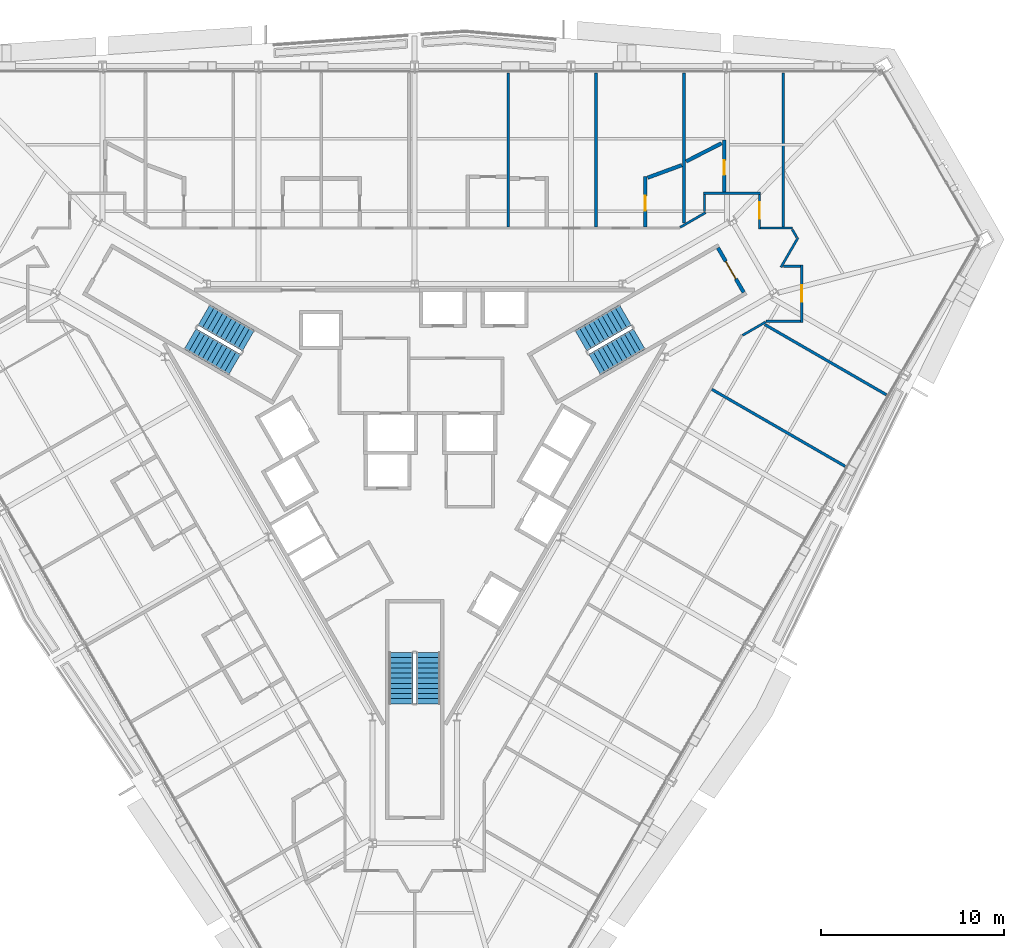
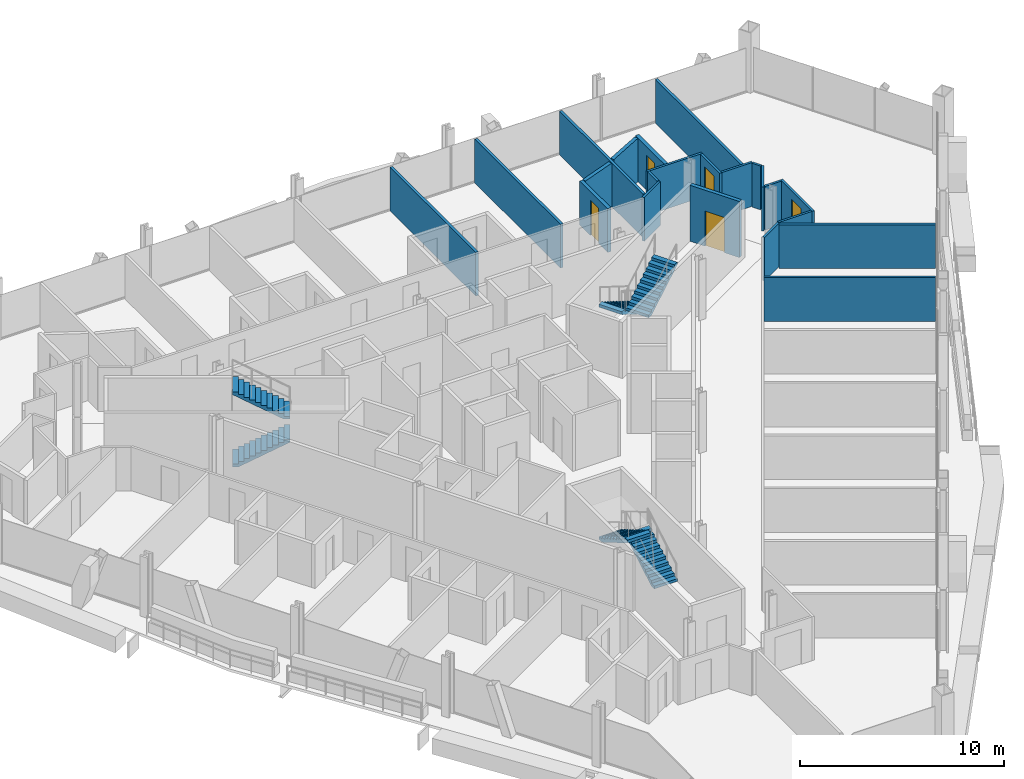
# One storey, part 15 of 17: 22 walls, 6 stair flights, 5 doors, 5 openings, 3 elements without a shape of their own.
"""IFC4 building model written with IfcOpenShell, lengths in metres."""

from ifc_helpers import new_model, si_unit, direction, frame, frame_2d, origin, place, context, subcontext, project, spatial, polyline, rectangle, outline, extrude, material, layer, layer_set, type_object, element, fill, aggregate, save


model = new_model("IFC4")

# Units and contexts
model_context = context("Model", 3, precision=1e-05, world=origin(), true_north=direction((0.0, 1.0)))
body_context = subcontext(model_context, "Body", "Model", "MODEL_VIEW")
ifc_project = project(units=[si_unit("LENGTHUNIT", "METRE"), si_unit("AREAUNIT", "SQUARE_METRE"), si_unit("VOLUMEUNIT", "CUBIC_METRE"), si_unit("PLANEANGLEUNIT", "RADIAN"), si_unit("MASSUNIT", "GRAM", prefix="KILO")], contexts=[model_context])

# Site, building, storey
site_placement = place(None, origin())
site = spatial("IfcSite", under=ifc_project, at=site_placement, CompositionType="ELEMENT")
building_placement = place(site_placement, origin())
building = spatial("IfcBuilding", under=site, at=building_placement, Name="Verrane Prism Tower", CompositionType="ELEMENT")
storey_placement = place(building_placement, frame((0.0, 0.0, 51.199951171875)))
storey = spatial("IfcBuildingStorey", under=building, at=storey_placement, Name="L10", CompositionType="ELEMENT", Elevation=51.199951171875)

# Wall, opening, door
ifc_material_1 = material(Name="Concrete C40/50", Category="concrete")
ifc_layer_1 = layer(ifc_material_1, 0.199951171875)
ifc_layer_set_1 = layer_set([ifc_layer_1], Name="CW-200 stair core wall concrete C40/50 3 h")
wall_type_1 = type_object("IfcWallType", Name="CW-200 stair core wall concrete C40/50 3 h", PredefinedType="PARTITIONING", material=ifc_layer_set_1)
wall_1_placement = place(storey_placement, frame((17.933837890625, 8.737548828125, 0.0), z_axis=(0.0, 0.0, 1.0), x_axis=(-0.49998411664, 0.866034573852, 0.0)))
wall_1 = element("IfcWall", 1, at=wall_1_placement, inside=storey, type_object=wall_type_1, Name="Stair 1 enclosure wall", PredefinedType="PARTITIONING", context=body_context, shape_type="SweptSolid", body=[
    extrude(rectangle(XDim=2.7998046875, YDim=0.199951171875, at=frame_2d((1.39990234375, 0.0))), origin(), (0.0, 0.0, 1.0), 3.35009765625),
])
opening_1_placement = place(wall_1_placement, frame((0.849853515625, 0.0, 0.0)))
opening_1 = element("IfcOpeningElement", 2, at=opening_1_placement, cuts=wall_1, Name="Opening D09500", PredefinedType="OPENING", context=body_context, shape_type="SweptSolid", body=[
    extrude(rectangle(XDim=1.10009765625, YDim=2.10009765625, at=frame_2d((0.550048828125, 1.050048828125))), frame((0.0, 0.10986328125, 0.0), z_axis=(0.0, -1.0, 0.0), x_axis=(1.0, 0.0, 0.0)), (0.0, 0.0, 1.0), 0.219970703125),
])
ifc_material_2 = material(Name="Timber veneered door leaf", Category="wood")
door_type_1 = type_object("IfcDoorType", Name="DR-1100x2100 FD90 single leaf stair", OperationType="NOTDEFINED", PredefinedType="DOOR", material=ifc_material_2)
door_1_placement = place(opening_1_placement, origin())
door_1 = element("IfcDoor", 3, at=door_1_placement, inside=storey, type_object=door_type_1, Name="Stair 1 door", OperationType="SINGLE_SWING_LEFT", OverallHeight=2.10009765625, OverallWidth=1.10009765625, PredefinedType="DOOR", context=body_context, shape_type="SweptSolid", body=[
    extrude(rectangle(XDim=1.10009765625, YDim=2.10009765625, at=frame_2d((0.550048828125, 1.050048828125))), frame((0.0, 0.02490234375, 0.0), z_axis=(0.0, -1.0, 0.0), x_axis=(1.0, 0.0, 0.0)), (0.0, 0.0, 1.0), 0.050048828125),
])
fill(opening_1, door_1)

# Walls
ifc_material_3 = material(Name="Gypsum board partition", Category="other")
ifc_layer_2 = layer(ifc_material_3, 0.125)
ifc_layer_set_2 = layer_set([ifc_layer_2], Name="PW-125 corridor wall 1 h")
wall_type_2 = type_object("IfcWallType", Name="PW-125 corridor wall 1 h", PredefinedType="PARTITIONING", material=ifc_layer_set_2)
wall_2_placement = place(storey_placement, frame((14.4755859375, 12.283447265625, 0.0), z_axis=(0.0, 0.0, 1.0), x_axis=(0.865974057503, 0.500088923824, 0.0)))
element("IfcWall", 4, at=wall_2_placement, inside=storey, type_object=wall_type_2, Name="Corridor wall 071", PredefinedType="PARTITIONING", context=body_context, shape_type="SweptSolid", body=[
    extrude(rectangle(XDim=1.595458984375, YDim=0.125, at=frame_2d((0.7978515625, 0.0))), origin(), (0.0, 0.0, 1.0), 2.613037109375),
])
wall_3_placement = place(storey_placement, frame((15.802978515625, 13.135009765625, 0.0), z_axis=(0.0, 0.0, 1.0), x_axis=(0.0, 1.0, 0.0)))
element("IfcWall", 5, at=wall_3_placement, inside=storey, type_object=wall_type_2, Name="Corridor wall 074", PredefinedType="PARTITIONING", context=body_context, shape_type="SweptSolid", body=[
    extrude(rectangle(XDim=0.93701171875, YDim=0.125, at=frame_2d((0.468505859375, 0.0))), origin(), (0.0, 0.0, 1.0), 2.613037109375),
])
wall_4_placement = place(storey_placement, frame((15.740478515625, 14.136962890625, 0.0), z_axis=(0.0, 0.0, 1.0), x_axis=(1.0, 0.0, 0.0)))
element("IfcWall", 6, at=wall_4_placement, inside=storey, type_object=wall_type_2, Name="Corridor wall 075", PredefinedType="PARTITIONING", context=body_context, shape_type="SweptSolid", body=[
    extrude(rectangle(XDim=3.119140625, YDim=0.125, at=frame_2d((1.5595703125, 0.0))), origin(), (0.0, 0.0, 1.0), 2.613037109375),
])
wall_5_placement = place(storey_placement, frame((17.87548828125, 6.39453125, 0.0), z_axis=(0.0, 0.0, 1.0), x_axis=(0.865894215669, 0.500227155672, 0.0)))
element("IfcWall", 7, at=wall_5_placement, inside=storey, type_object=wall_type_2, Name="Corridor wall 078", PredefinedType="PARTITIONING", context=body_context, shape_type="SweptSolid", body=[
    extrude(rectangle(XDim=1.451416015625, YDim=0.125, at=frame_2d((0.7255859375, 0.0))), origin(), (0.0, 0.0, 1.0), 2.613037109375),
])

# Wall, opening, door
wall_6_placement = place(storey_placement, frame((18.797119140625, 14.072021484375, 0.0), z_axis=(0.0, 0.0, 1.0), x_axis=(0.0, -1.0, 0.0)))
wall_6 = element("IfcWall", 8, at=wall_6_placement, inside=storey, type_object=wall_type_2, Name="Corridor wall 079", PredefinedType="PARTITIONING", context=body_context, shape_type="SweptSolid", body=[
    extrude(rectangle(XDim=1.8935546875, YDim=0.125, at=frame_2d((0.94677734375, 0.0))), origin(), (0.0, 0.0, 1.0), 2.613037109375),
])
opening_2_placement = place(wall_6_placement, frame((0.430908203125, 0.0, 0.0)))
opening_2 = element("IfcOpeningElement", 9, at=opening_2_placement, cuts=wall_6, Name="Opening D09010", PredefinedType="OPENING", context=body_context, shape_type="SweptSolid", body=[
    extrude(rectangle(XDim=0.89990234375, YDim=2.10009765625, at=frame_2d((0.449951171875, 1.050048828125))), frame((0.0, 0.072509765625, 0.0), z_axis=(0.0, -1.0, 0.0), x_axis=(1.0, 0.0, 0.0)), (0.0, 0.0, 1.0), 0.14501953125),
])
ifc_material_4 = material(Name="Timber veneered door leaf", Category="wood")
door_type_2 = type_object("IfcDoorType", Name="DR-900x2100 FD20 single leaf unit", OperationType="NOTDEFINED", PredefinedType="DOOR", material=ifc_material_4)
door_2_placement = place(opening_2_placement, origin())
door_2 = element("IfcDoor", 10, at=door_2_placement, inside=storey, type_object=door_type_2, Name="Guest Room door", OperationType="SINGLE_SWING_LEFT", OverallHeight=2.10009765625, OverallWidth=0.89990234375, PredefinedType="DOOR", context=body_context, shape_type="SweptSolid", body=[
    extrude(rectangle(XDim=0.89990234375, YDim=2.10009765625, at=frame_2d((0.449951171875, 1.050048828125))), frame((0.0, 0.02490234375, 0.0), z_axis=(0.0, -1.0, 0.0), x_axis=(1.0, 0.0, 0.0)), (0.0, 0.0, 1.0), 0.050048828125),
])
fill(opening_2, door_2)

# Walls
wall_7_placement = place(storey_placement, frame((18.862060546875, 12.240966796875, 0.0), z_axis=(0.0, 0.0, 1.0), x_axis=(1.0, 0.0, 0.0)))
element("IfcWall", 11, at=wall_7_placement, inside=storey, type_object=wall_type_2, Name="Corridor wall 080", PredefinedType="PARTITIONING", context=body_context, shape_type="SweptSolid", body=[
    extrude(rectangle(XDim=1.739501953125, YDim=0.125, at=frame_2d((0.86962890625, 0.0))), origin(), (0.0, 0.0, 1.0), 2.613037109375),
])
wall_8_placement = place(storey_placement, frame((19.1435546875, 7.1630859375, 0.0), z_axis=(0.0, 0.0, 1.0), x_axis=(1.0, 0.0, 0.0)))
element("IfcWall", 12, at=wall_8_placement, inside=storey, type_object=wall_type_2, Name="Corridor wall 082", PredefinedType="PARTITIONING", context=body_context, shape_type="SweptSolid", body=[
    extrude(rectangle(XDim=1.888427734375, YDim=0.125, at=frame_2d((0.9443359375, 0.0))), origin(), (0.0, 0.0, 1.0), 2.613037109375),
])
wall_9_placement = place(storey_placement, frame((19.9677734375, 10.102783203125, 0.0), z_axis=(0.0, 0.0, 1.0), x_axis=(0.500072997275, 0.865983254686, 0.0)))
element("IfcWall", 13, at=wall_9_placement, inside=storey, type_object=wall_type_2, Name="Corridor wall 083", PredefinedType="PARTITIONING", context=body_context, shape_type="SweptSolid", body=[
    extrude(rectangle(XDim=1.868896484375, YDim=0.125, at=frame_2d((0.9345703125, 0.0))), origin(), (0.0, 0.0, 1.0), 2.613037109375),
])
wall_10_placement = place(storey_placement, frame((20.10400390625, 10.156982421875, 0.0), z_axis=(0.0, 0.0, 1.0), x_axis=(1.0, 0.0, 0.0)))
element("IfcWall", 14, at=wall_10_placement, inside=storey, type_object=wall_type_2, Name="Corridor wall 084", PredefinedType="PARTITIONING", context=body_context, shape_type="SweptSolid", body=[
    extrude(rectangle(XDim=0.927978515625, YDim=0.125, at=frame_2d((0.4638671875, 0.0))), origin(), (0.0, 0.0, 1.0), 2.613037109375),
])
wall_11_placement = place(storey_placement, frame((20.58154296875, 12.16748046875, 0.0), z_axis=(0.0, 0.0, 1.0), x_axis=(0.500450775723, -0.86576499183, 0.0)))
element("IfcWall", 15, at=wall_11_placement, inside=storey, type_object=wall_type_2, Name="Corridor wall 086", PredefinedType="PARTITIONING", context=body_context, shape_type="SweptSolid", body=[
    extrude(rectangle(XDim=0.4931640625, YDim=0.125, at=frame_2d((0.24658203125, 0.0))), origin(), (0.0, 0.0, 1.0), 2.613037109375),
])

# Wall, opening, door
wall_12_placement = place(storey_placement, frame((21.096923828125, 10.219482421875, 0.0), z_axis=(0.0, 0.0, 1.0), x_axis=(0.0, -1.0, 0.0)))
wall_12 = element("IfcWall", 16, at=wall_12_placement, inside=storey, type_object=wall_type_2, Name="Corridor wall 087", PredefinedType="PARTITIONING", context=body_context, shape_type="SweptSolid", body=[
    extrude(rectangle(XDim=3.118896484375, YDim=0.125, at=frame_2d((1.5595703125, 0.0))), origin(), (0.0, 0.0, 1.0), 2.613037109375),
])
opening_3_placement = place(wall_12_placement, frame((1.1064453125, 0.0, 0.0)))
opening_3 = element("IfcOpeningElement", 17, at=opening_3_placement, cuts=wall_12, Name="Opening D09009", PredefinedType="OPENING", context=body_context, shape_type="SweptSolid", body=[
    extrude(rectangle(XDim=0.89990234375, YDim=2.10009765625, at=frame_2d((0.449951171875, 1.050048828125))), frame((0.0, 0.072509765625, 0.0), z_axis=(0.0, -1.0, 0.0), x_axis=(1.0, 0.0, 0.0)), (0.0, 0.0, 1.0), 0.14501953125),
])
ifc_material_5 = material(Name="Timber veneered door leaf", Category="wood")
door_type_3 = type_object("IfcDoorType", Name="DR-900x2100 single leaf unit", OperationType="NOTDEFINED", PredefinedType="DOOR", material=ifc_material_5)
door_3_placement = place(opening_3_placement, origin())
door_3 = element("IfcDoor", 18, at=door_3_placement, inside=storey, type_object=door_type_3, Name="Study door", OperationType="SINGLE_SWING_RIGHT", OverallHeight=2.10009765625, OverallWidth=0.89990234375, PredefinedType="DOOR", context=body_context, shape_type="SweptSolid", body=[
    extrude(rectangle(XDim=0.89990234375, YDim=2.10009765625, at=frame_2d((0.449951171875, 1.050048828125))), frame((0.0, 0.02490234375, 0.0), z_axis=(0.0, -1.0, 0.0), x_axis=(1.0, 0.0, 0.0)), (0.0, 0.0, 1.0), 0.050048828125),
])
fill(opening_3, door_3)

# Walls
ifc_material_6 = material(Name="Gypsum board partition", Category="other")
ifc_layer_3 = layer(ifc_material_6, 0.14990234375)
ifc_layer_set_3 = layer_set([ifc_layer_3], Name="PW-150 demising wall 1 h")
wall_type_3 = type_object("IfcWallType", Name="PW-150 demising wall 1 h", PredefinedType="PARTITIONING", material=ifc_layer_set_3)
for number, where, z_axis, x_axis, name in (
    (19, (5.10009765625, 12.303466796875, 0.0), (0.0, 0.0, 1.0), (0.0, 1.0, 0.0), "Demising wall 061"),
    (20, (9.887939453125, 12.303466796875, 0.0), (0.0, 0.0, 1.0), (0.0, 1.0, 0.0), "Demising wall 066"),
):
    element("IfcWall", number, at=place(storey_placement, frame(where, z_axis=z_axis, x_axis=x_axis)), inside=storey, type_object=wall_type_3, Name=name, PredefinedType="PARTITIONING", context=body_context, shape_type="SweptSolid", body=[
        extrude(rectangle(XDim=8.3916015625, YDim=0.14990234375, at=frame_2d((4.19580078125, 0.0))), origin(), (0.0, 0.0, 1.0), 2.613037109375),
    ])
wall_13_placement = place(storey_placement, frame((14.676025390625, 12.514404296875, 0.0), z_axis=(0.0, 0.0, 1.0), x_axis=(0.0, 1.0, 0.0)))
element("IfcWall", 21, at=wall_13_placement, inside=storey, type_object=wall_type_3, Name="Demising wall 072", PredefinedType="PARTITIONING", context=body_context, shape_type="SweptSolid", body=[
    extrude(rectangle(XDim=8.1806640625, YDim=0.14990234375, at=frame_2d((4.09033203125, 0.0))), origin(), (0.0, 0.0, 1.0), 2.613037109375),
])
wall_14_placement = place(storey_placement, frame((16.202392578125, 3.447265625, 0.0), z_axis=(0.0, 0.0, 1.0), x_axis=(0.866047434595, -0.499961839574, 0.0)))
element("IfcWall", 22, at=wall_14_placement, inside=storey, type_object=wall_type_3, Name="Demising wall 076", PredefinedType="PARTITIONING", context=body_context, shape_type="SweptSolid", body=[
    extrude(rectangle(XDim=8.386962890625, YDim=0.14990234375, at=frame_2d((4.193359375, 0.0))), origin(), (0.0, 0.0, 1.0), 2.613037109375),
])
wall_15_placement = place(storey_placement, frame((19.087890625, 6.979248046875, 0.0), z_axis=(0.0, 0.0, 1.0), x_axis=(0.865990629129, -0.500060226633, 0.0)))
element("IfcWall", 23, at=wall_15_placement, inside=storey, type_object=wall_type_3, Name="Demising wall 081", PredefinedType="PARTITIONING", context=body_context, shape_type="SweptSolid", body=[
    extrude(rectangle(XDim=7.65380859375, YDim=0.14990234375, at=frame_2d((3.826904296875, 0.0))), origin(), (0.0, 0.0, 1.0), 2.613037109375),
])
wall_16_placement = place(storey_placement, frame((20.089111328125, 12.303466796875, 0.0), z_axis=(0.0, 0.0, 1.0), x_axis=(0.0, 1.0, 0.0)))
element("IfcWall", 24, at=wall_16_placement, inside=storey, type_object=wall_type_3, Name="Demising wall 085", PredefinedType="PARTITIONING", context=body_context, shape_type="SweptSolid", body=[
    extrude(rectangle(XDim=8.3916015625, YDim=0.14990234375, at=frame_2d((4.19580078125, 0.0))), origin(), (0.0, 0.0, 1.0), 2.613037109375),
])

# Wall, opening, door
ifc_material_7 = material(Name="Gypsum board partition", Category="other")
ifc_layer_4 = layer(ifc_material_7, 0.199951171875)
ifc_layer_set_4 = layer_set([ifc_layer_4], Name="PW-200 plumbing wall")
wall_type_4 = type_object("IfcWallType", Name="PW-200 plumbing wall", PredefinedType="PARTITIONING", material=ifc_layer_set_4)
wall_17_placement = place(storey_placement, frame((12.575927734375, 15.041015625, 0.0), z_axis=(0.0, 0.0, 1.0), x_axis=(0.0, -1.0, 0.0)))
wall_17 = element("IfcWall", 25, at=wall_17_placement, inside=storey, type_object=wall_type_4, Name="Plumbing wall 068", PredefinedType="PARTITIONING", context=body_context, shape_type="SweptSolid", body=[
    extrude(rectangle(XDim=2.737548828125, YDim=0.199951171875, at=frame_2d((1.36865234375, 0.0))), origin(), (0.0, 0.0, 1.0), 2.613037109375),
])
opening_4_placement = place(wall_17_placement, frame((1.050048828125, 0.0, 0.0)))
opening_4 = element("IfcOpeningElement", 26, at=opening_4_placement, cuts=wall_17, Name="Opening D09013", PredefinedType="OPENING", context=body_context, shape_type="SweptSolid", body=[
    extrude(rectangle(XDim=0.800048828125, YDim=2.10009765625, at=frame_2d((0.39990234375, 1.050048828125))), frame((0.0, 0.10986328125, 0.0), z_axis=(0.0, -1.0, 0.0), x_axis=(1.0, 0.0, 0.0)), (0.0, 0.0, 1.0), 0.219970703125),
])
ifc_material_8 = material(Name="Timber veneered door leaf", Category="wood")
door_type_4 = type_object("IfcDoorType", Name="DR-800x2100 single leaf bath", OperationType="NOTDEFINED", PredefinedType="DOOR", material=ifc_material_8)
door_4_placement = place(opening_4_placement, origin())
door_4 = element("IfcDoor", 27, at=door_4_placement, inside=storey, type_object=door_type_4, Name="En-Suite door", OperationType="SINGLE_SWING_RIGHT", OverallHeight=2.10009765625, OverallWidth=0.800048828125, PredefinedType="DOOR", context=body_context, shape_type="SweptSolid", body=[
    extrude(rectangle(XDim=0.800048828125, YDim=2.10009765625, at=frame_2d((0.39990234375, 1.050048828125))), frame((0.0, 0.02490234375, 0.0), z_axis=(0.0, -1.0, 0.0), x_axis=(1.0, 0.0, 0.0)), (0.0, 0.0, 1.0), 0.050048828125),
])
fill(opening_4, door_4)

# Walls
wall_18_placement = place(storey_placement, frame((12.697998046875, 14.98583984375, 0.0), z_axis=(0.0, 0.0, 1.0), x_axis=(0.938894816734, 0.344204188105, 0.0)))
element("IfcWall", 28, at=wall_18_placement, inside=storey, type_object=wall_type_4, Name="Plumbing wall 069", PredefinedType="PARTITIONING", context=body_context, shape_type="SweptSolid", body=[
    extrude(rectangle(XDim=1.990234375, YDim=0.199951171875, at=frame_2d((0.9951171875, 0.0))), origin(), (0.0, 0.0, 1.0), 2.613037109375),
])
wall_19_placement = place(storey_placement, frame((14.796630859375, 15.872802734375, 0.0), z_axis=(0.0, 0.0, 1.0), x_axis=(0.890181338078, 0.455606392995, 0.0)))
element("IfcWall", 29, at=wall_19_placement, inside=storey, type_object=wall_type_4, Name="Plumbing wall 073", PredefinedType="PARTITIONING", context=body_context, shape_type="SweptSolid", body=[
    extrude(rectangle(XDim=2.170654296875, YDim=0.199951171875, at=frame_2d((1.08544921875, 0.0))), origin(), (0.0, 0.0, 1.0), 2.613037109375),
])

# Wall, opening, door
wall_20_placement = place(storey_placement, frame((16.8759765625, 14.199462890625, 0.0), z_axis=(0.0, 0.0, 1.0), x_axis=(0.0, 1.0, 0.0)))
wall_20 = element("IfcWall", 30, at=wall_20_placement, inside=storey, type_object=wall_type_4, Name="Plumbing wall 077", PredefinedType="PARTITIONING", context=body_context, shape_type="SweptSolid", body=[
    extrude(rectangle(XDim=2.837646484375, YDim=0.199951171875, at=frame_2d((1.4189453125, 0.0))), origin(), (0.0, 0.0, 1.0), 2.613037109375),
])
opening_5_placement = place(wall_20_placement, frame((0.9375, 0.0, 0.0)))
opening_5 = element("IfcOpeningElement", 31, at=opening_5_placement, cuts=wall_20, Name="Opening D09011", PredefinedType="OPENING", context=body_context, shape_type="SweptSolid", body=[
    extrude(rectangle(XDim=0.800048828125, YDim=2.10009765625, at=frame_2d((0.39990234375, 1.050048828125))), frame((0.0, 0.10986328125, 0.0), z_axis=(0.0, -1.0, 0.0), x_axis=(1.0, 0.0, 0.0)), (0.0, 0.0, 1.0), 0.219970703125),
])
door_5_placement = place(opening_5_placement, origin())
door_5 = element("IfcDoor", 32, at=door_5_placement, inside=storey, type_object=door_type_4, Name="En-Suite door", OperationType="SINGLE_SWING_LEFT", OverallHeight=2.10009765625, OverallWidth=0.800048828125, PredefinedType="DOOR", context=body_context, shape_type="SweptSolid", body=[
    extrude(rectangle(XDim=0.800048828125, YDim=2.10009765625, at=frame_2d((0.39990234375, 1.050048828125))), frame((0.0, 0.02490234375, 0.0), z_axis=(0.0, -1.0, 0.0), x_axis=(1.0, 0.0, 0.0)), (0.0, 0.0, 1.0), 0.050048828125),
])
fill(opening_5, door_5)

# Stair, stair flights
ifc_material_9 = material(Name="Concrete C40/50", Category="concrete")
stair_type = type_object("IfcStairType", Name="Exit stair 1300 dog-leg precast concrete C40/50", PredefinedType="HALF_TURN_STAIR", material=ifc_material_9)
stair_1_placement = place(storey_placement, origin())
stair_1 = element("IfcStair", 33, at=stair_1_placement, inside=storey, type_object=stair_type, Name="Stair 1 L10", PredefinedType="HALF_TURN_STAIR")
ifc_material_10 = material(Name="Concrete C40/50", Category="concrete")
stair_flight_type = type_object("IfcStairFlightType", Name="Stair flight 1300 precast concrete C40/50", PredefinedType="STRAIGHT", material=ifc_material_10)
stair_flight_1_placement = place(storey_placement, frame((11.489501953125, 7.49951171875, 0.0), z_axis=(0.0, 0.0, 1.0), x_axis=(-0.866025403784, -0.5, 0.0)))
stair_flight_1 = element("IfcStairFlight", 34, at=stair_flight_1_placement, type_object=stair_flight_type, Name="Stair 1 flight 1", NumberOfRisers=11, NumberOfTreads=10, PredefinedType="STRAIGHT", RiserHeight=0.163636364, TreadLength=0.28, context=body_context, shape_type="SweptSolid", body=[
    extrude(outline(polyline([(0.0, 0.0), (0.0, 0.16357421875), (0.280029296875, 0.16357421875), (0.280029296875, 0.327392578125), (0.56005859375, 0.327392578125), (0.56005859375, 0.490966796875), (0.840087890625, 0.490966796875), (0.840087890625, 0.654541015625), (1.1201171875, 0.654541015625), (1.1201171875, 0.818115234375), (1.39990234375, 0.818115234375), (1.39990234375, 0.98193359375), (1.679931640625, 0.98193359375), (1.679931640625, 1.1455078125), (1.9599609375, 1.1455078125), (1.9599609375, 1.30908203125), (2.239990234375, 1.30908203125), (2.239990234375, 1.47265625), (2.52001953125, 1.47265625), (2.52001953125, 1.636474609375), (2.800048828125, 1.636474609375), (2.800048828125, 1.800048828125), (2.800048828125, 1.462646484375), (0.297119140625, 0.0), (0.0, 0.0)])), frame((0.0, 0.64990234375, 0.0), z_axis=(0.0, -1.0, 0.0), x_axis=(1.0, 0.0, 0.0)), (0.0, 0.0, 1.0), 1.300048828125),
])
stair_flight_2_placement = place(storey_placement, frame((9.814697265625, 4.800537109375, 1.800048828125), z_axis=(0.0, 0.0, 1.0), x_axis=(0.866025403784, 0.5, 0.0)))
stair_flight_2 = element("IfcStairFlight", 35, at=stair_flight_2_placement, type_object=stair_flight_type, Name="Stair 1 flight 2", NumberOfRisers=11, NumberOfTreads=10, PredefinedType="STRAIGHT", RiserHeight=0.163636364, TreadLength=0.28, context=body_context, shape_type="SweptSolid", body=[
    extrude(outline(polyline([(0.0, 0.0), (0.0, 0.16357421875), (0.280029296875, 0.16357421875), (0.280029296875, 0.327392578125), (0.56005859375, 0.327392578125), (0.56005859375, 0.490966796875), (0.840087890625, 0.490966796875), (0.840087890625, 0.654541015625), (1.1201171875, 0.654541015625), (1.1201171875, 0.818115234375), (1.39990234375, 0.818115234375), (1.39990234375, 0.98193359375), (1.679931640625, 0.98193359375), (1.679931640625, 1.1455078125), (1.9599609375, 1.1455078125), (1.9599609375, 1.30908203125), (2.239990234375, 1.30908203125), (2.239990234375, 1.47265625), (2.52001953125, 1.47265625), (2.52001953125, 1.636474609375), (2.800048828125, 1.636474609375), (2.800048828125, 1.800048828125), (2.800048828125, 1.462646484375), (0.297119140625, 0.0), (0.0, 0.0)])), frame((0.0, 0.64990234375, 0.0), z_axis=(0.0, -1.0, 0.0), x_axis=(1.0, 0.0, 0.0)), (0.0, 0.0, 1.0), 1.300048828125),
])
aggregate(stair_1, [stair_flight_1, stair_flight_2])

stair_2_placement = place(storey_placement, origin())
stair_2 = element("IfcStair", 36, at=stair_2_placement, inside=storey, type_object=stair_type, Name="Stair 2 L10", PredefinedType="HALF_TURN_STAIR")
stair_flight_3_placement = place(storey_placement, frame((-12.239501953125, 6.200439453125, 0.0), z_axis=(0.0, 0.0, 1.0), x_axis=(0.866025403784, -0.5, 0.0)))
stair_flight_3 = element("IfcStairFlight", 37, at=stair_flight_3_placement, type_object=stair_flight_type, Name="Stair 2 flight 1", NumberOfRisers=11, NumberOfTreads=10, PredefinedType="STRAIGHT", RiserHeight=0.163636364, TreadLength=0.28, context=body_context, shape_type="SweptSolid", body=[
    extrude(outline(polyline([(0.0, 0.0), (0.0, 0.16357421875), (0.280029296875, 0.16357421875), (0.280029296875, 0.327392578125), (0.56005859375, 0.327392578125), (0.56005859375, 0.490966796875), (0.840087890625, 0.490966796875), (0.840087890625, 0.654541015625), (1.1201171875, 0.654541015625), (1.1201171875, 0.818115234375), (1.39990234375, 0.818115234375), (1.39990234375, 0.98193359375), (1.679931640625, 0.98193359375), (1.679931640625, 1.1455078125), (1.9599609375, 1.1455078125), (1.9599609375, 1.30908203125), (2.239990234375, 1.30908203125), (2.239990234375, 1.47265625), (2.52001953125, 1.47265625), (2.52001953125, 1.636474609375), (2.800048828125, 1.636474609375), (2.800048828125, 1.800048828125), (2.800048828125, 1.462646484375), (0.297119140625, 0.0), (0.0, 0.0)])), frame((0.0, 0.64990234375, 0.0), z_axis=(0.0, -1.0, 0.0), x_axis=(1.0, 0.0, 0.0)), (0.0, 0.0, 1.0), 1.300048828125),
])
stair_flight_4_placement = place(storey_placement, frame((-9.064697265625, 6.099609375, 1.800048828125), z_axis=(0.0, 0.0, 1.0), x_axis=(-0.866025403784, 0.5, 0.0)))
stair_flight_4 = element("IfcStairFlight", 38, at=stair_flight_4_placement, type_object=stair_flight_type, Name="Stair 2 flight 2", NumberOfRisers=11, NumberOfTreads=10, PredefinedType="STRAIGHT", RiserHeight=0.163636364, TreadLength=0.28, context=body_context, shape_type="SweptSolid", body=[
    extrude(outline(polyline([(0.0, 0.0), (0.0, 0.16357421875), (0.280029296875, 0.16357421875), (0.280029296875, 0.327392578125), (0.56005859375, 0.327392578125), (0.56005859375, 0.490966796875), (0.840087890625, 0.490966796875), (0.840087890625, 0.654541015625), (1.1201171875, 0.654541015625), (1.1201171875, 0.818115234375), (1.39990234375, 0.818115234375), (1.39990234375, 0.98193359375), (1.679931640625, 0.98193359375), (1.679931640625, 1.1455078125), (1.9599609375, 1.1455078125), (1.9599609375, 1.30908203125), (2.239990234375, 1.30908203125), (2.239990234375, 1.47265625), (2.52001953125, 1.47265625), (2.52001953125, 1.636474609375), (2.800048828125, 1.636474609375), (2.800048828125, 1.800048828125), (2.800048828125, 1.462646484375), (0.297119140625, 0.0), (0.0, 0.0)])), frame((0.0, 0.64990234375, 0.0), z_axis=(0.0, -1.0, 0.0), x_axis=(1.0, 0.0, 0.0)), (0.0, 0.0, 1.0), 1.300048828125),
])
aggregate(stair_2, [stair_flight_3, stair_flight_4])

stair_3_placement = place(storey_placement, origin())
stair_3 = element("IfcStair", 39, at=stair_3_placement, inside=storey, type_object=stair_type, Name="Stair 3 L10", PredefinedType="HALF_TURN_STAIR")
stair_flight_5_placement = place(storey_placement, frame((0.75, -13.699951171875, 0.0), z_axis=(0.0, 0.0, 1.0), x_axis=(0.0, 1.0, 0.0)))
stair_flight_5 = element("IfcStairFlight", 40, at=stair_flight_5_placement, type_object=stair_flight_type, Name="Stair 3 flight 1", NumberOfRisers=11, NumberOfTreads=10, PredefinedType="STRAIGHT", RiserHeight=0.163636364, TreadLength=0.28, context=body_context, shape_type="SweptSolid", body=[
    extrude(outline(polyline([(0.0, 0.0), (0.0, 0.16357421875), (0.280029296875, 0.16357421875), (0.280029296875, 0.327392578125), (0.56005859375, 0.327392578125), (0.56005859375, 0.490966796875), (0.840087890625, 0.490966796875), (0.840087890625, 0.654541015625), (1.1201171875, 0.654541015625), (1.1201171875, 0.818115234375), (1.39990234375, 0.818115234375), (1.39990234375, 0.98193359375), (1.679931640625, 0.98193359375), (1.679931640625, 1.1455078125), (1.9599609375, 1.1455078125), (1.9599609375, 1.30908203125), (2.239990234375, 1.30908203125), (2.239990234375, 1.47265625), (2.52001953125, 1.47265625), (2.52001953125, 1.636474609375), (2.800048828125, 1.636474609375), (2.800048828125, 1.800048828125), (2.800048828125, 1.462646484375), (0.297119140625, 0.0), (0.0, 0.0)])), frame((0.0, 0.64990234375, 0.0), z_axis=(0.0, -1.0, 0.0), x_axis=(1.0, 0.0, 0.0)), (0.0, 0.0, 1.0), 1.300048828125),
])
stair_flight_6_placement = place(storey_placement, frame((-0.75, -10.89990234375, 1.800048828125), z_axis=(0.0, 0.0, 1.0), x_axis=(0.0, -1.0, 0.0)))
stair_flight_6 = element("IfcStairFlight", 41, at=stair_flight_6_placement, type_object=stair_flight_type, Name="Stair 3 flight 2", NumberOfRisers=11, NumberOfTreads=10, PredefinedType="STRAIGHT", RiserHeight=0.163636364, TreadLength=0.28, context=body_context, shape_type="SweptSolid", body=[
    extrude(outline(polyline([(0.0, 0.0), (0.0, 0.16357421875), (0.280029296875, 0.16357421875), (0.280029296875, 0.327392578125), (0.56005859375, 0.327392578125), (0.56005859375, 0.490966796875), (0.840087890625, 0.490966796875), (0.840087890625, 0.654541015625), (1.1201171875, 0.654541015625), (1.1201171875, 0.818115234375), (1.39990234375, 0.818115234375), (1.39990234375, 0.98193359375), (1.679931640625, 0.98193359375), (1.679931640625, 1.1455078125), (1.9599609375, 1.1455078125), (1.9599609375, 1.30908203125), (2.239990234375, 1.30908203125), (2.239990234375, 1.47265625), (2.52001953125, 1.47265625), (2.52001953125, 1.636474609375), (2.800048828125, 1.636474609375), (2.800048828125, 1.800048828125), (2.800048828125, 1.462646484375), (0.297119140625, 0.0), (0.0, 0.0)])), frame((0.0, 0.64990234375, 0.0), z_axis=(0.0, -1.0, 0.0), x_axis=(1.0, 0.0, 0.0)), (0.0, 0.0, 1.0), 1.300048828125),
])
aggregate(stair_3, [stair_flight_5, stair_flight_6])

save(model, "model.ifc")
